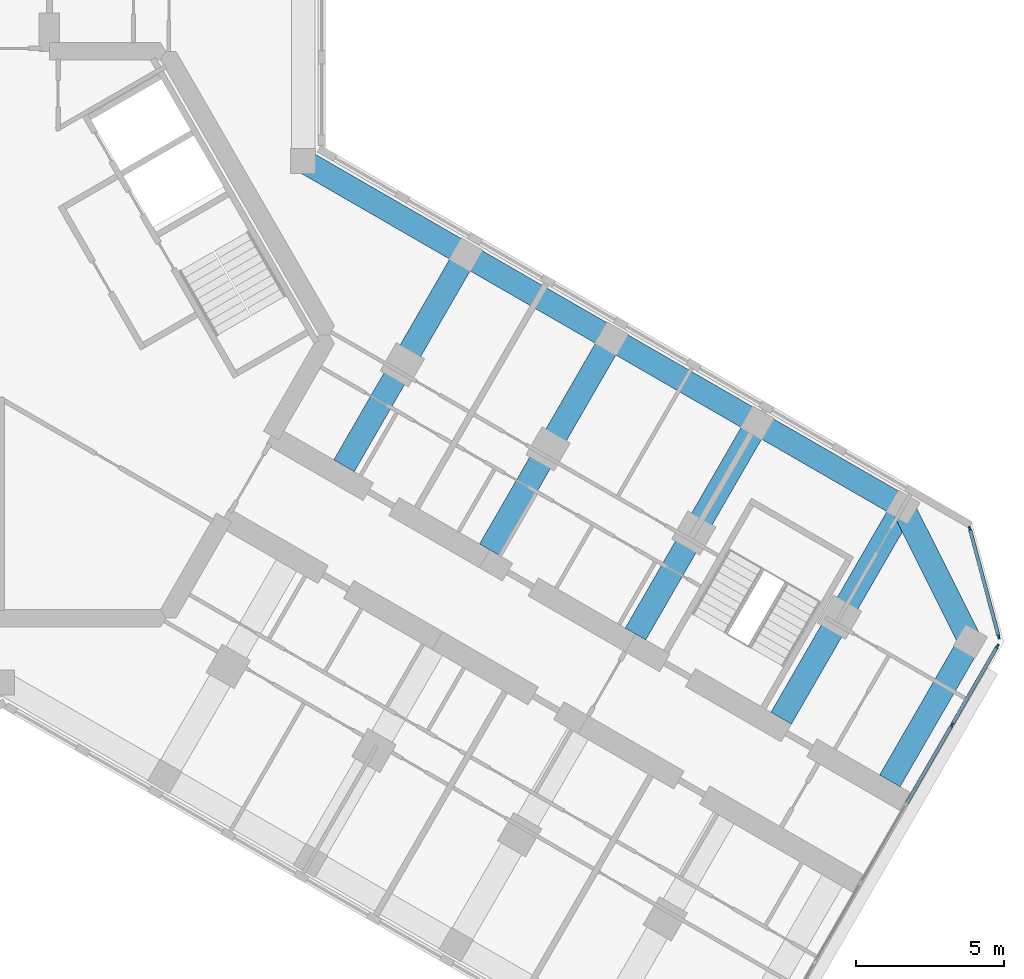
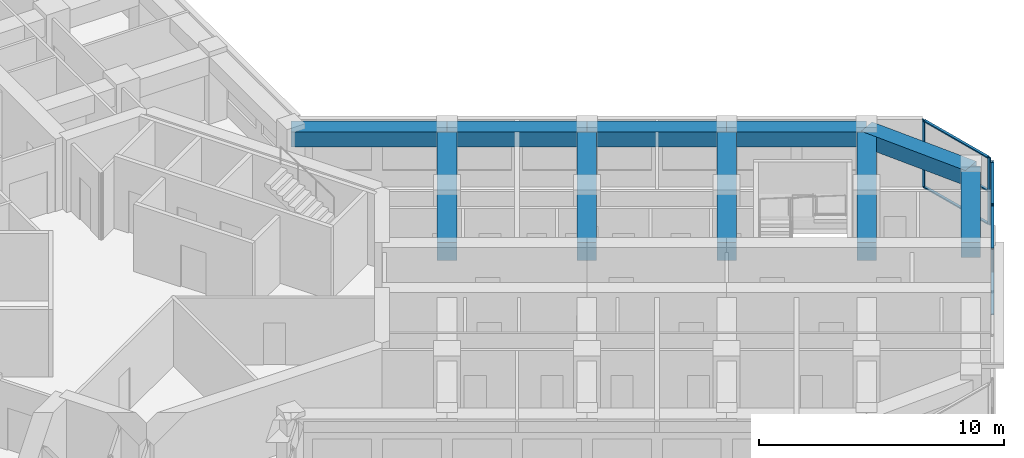
# One storey, part 5 of 16: 11 members, 10 beams, 2 elements without a shape of their own.
"""IFC4 building model written with IfcOpenShell, lengths in metres."""

import ifcopenshell
import ifcopenshell.guid

model = None  # the IFC model being written
_history = None  # IfcOwnerHistory: only IFC2X3 demands one
_inside = {}  # id of a spatial element -> (the spatial element, [elements in it])
_under = {}  # id of a project, library or spatial element -> (it, [spatial elements below it])
_declared = {}  # id of a project -> (the project, [libraries it declares])
_typed = {}  # id of a type object -> (the type object, [elements of that type])
_made_of = {}  # id of a material, layer set ... -> (it, [elements and type objects made of it])


def new_model(schema):
    """Start an empty IFC model of exactly this schema.

    Asked for "IFC4X3", IfcOpenShell would pick the latest addendum, in which some entities
    have other attributes; the version numbers below select the first issue.
    IFC2X3 requires an IfcOwnerHistory on every rooted entity: one is made here for all.
    """
    global model, _history
    if schema == "IFC4X3":
        model = ifcopenshell.file(schema_version=(4, 3, 0, 0))
    else:
        model = ifcopenshell.file(schema=schema)
    _inside.clear()
    _under.clear()
    _declared.clear()
    _typed.clear()
    _made_of.clear()
    _history = None
    if model.schema == "IFC2X3":
        org = make("IfcOrganization", Name="unknown")
        user = make(
            "IfcPersonAndOrganization",
            ThePerson=make("IfcPerson", FamilyName="unknown"),
            TheOrganization=org,
        )
        app = make(
            "IfcApplication",
            ApplicationDeveloper=org,
            Version="unknown",
            ApplicationFullName="unknown",
            ApplicationIdentifier="unknown",
        )
        _history = make(
            "IfcOwnerHistory",
            OwningUser=user,
            OwningApplication=app,
            ChangeAction="ADDED",
            CreationDate=0,
        )
    return model


def make(cls, **values):
    """One entity of the class cls with the attributes given. An attribute that is None is left unset."""
    return model.create_entity(
        cls, **{name: value for name, value in values.items() if value is not None}
    )


def rooted(cls, **values):
    """An entity with a GlobalId (a new one), such as an element, a storey or a relation."""
    return make(cls, GlobalId=ifcopenshell.guid.new(), OwnerHistory=_history, **values)


def si_unit(unit_type, name, prefix=None):
    """IfcSIUnit, for example si_unit("LENGTHUNIT", "METRE", prefix="MILLI")."""
    return make("IfcSIUnit", UnitType=unit_type, Prefix=prefix, Name=name)


def assignment(units):
    """IfcUnitAssignment: the units of a project."""
    return None if units is None else make("IfcUnitAssignment", Units=units)


def point(xyz):
    """IfcCartesianPoint."""
    return None if xyz is None else make("IfcCartesianPoint", Coordinates=xyz)


def direction(xyz):
    """IfcDirection."""
    return None if xyz is None else make("IfcDirection", DirectionRatios=xyz)


def frame(location, z_axis=None, x_axis=None):
    """IfcAxis2Placement3D, a coordinate frame: its origin and axes. An axis left out is left unset."""
    return make(
        "IfcAxis2Placement3D",
        Location=point(location),
        Axis=direction(z_axis),
        RefDirection=direction(x_axis),
    )


def frame_2d(location, x_axis=None):
    """IfcAxis2Placement2D, a coordinate frame in the plane: its origin and x axis."""
    return make(
        "IfcAxis2Placement2D", Location=point(location), RefDirection=direction(x_axis)
    )


def origin():
    """The frame at (0, 0, 0) with its axes left unset."""
    return frame((0.0, 0.0, 0.0))


def origin_2d():
    """The frame at (0, 0) in the plane with its x axis left unset."""
    return frame_2d((0.0, 0.0))


def place(relative_to, where):
    """IfcLocalPlacement: puts the frame where relative to a parent placement (None: the world)."""
    return make(
        "IfcLocalPlacement", PlacementRelTo=relative_to, RelativePlacement=where
    )


def context(
    kind, dimensions, precision=None, world=None, true_north=None, identifier=None
):
    """IfcGeometricRepresentationContext, for example the 3D "Model" context."""
    return make(
        "IfcGeometricRepresentationContext",
        ContextIdentifier=identifier,
        ContextType=kind,
        CoordinateSpaceDimension=dimensions,
        Precision=precision,
        WorldCoordinateSystem=world,
        TrueNorth=true_north,
    )


def subcontext(parent, identifier, kind, view, scale=None):
    """IfcGeometricRepresentationSubContext, for example "Body" below "Model"."""
    return make(
        "IfcGeometricRepresentationSubContext",
        ContextIdentifier=identifier,
        ContextType=kind,
        ParentContext=parent,
        TargetScale=scale,
        TargetView=view,
    )


def project(units=None, contexts=None):
    """IfcProject with its units and contexts."""
    return rooted(
        "IfcProject",
        Name="project",
        RepresentationContexts=contexts,
        UnitsInContext=assignment(units),
    )


def spatial(cls, under=None, at=None, **own):
    """A site, building, storey or space (cls), placed at a placement, below another one or the project."""
    s = rooted(cls, ObjectPlacement=at, **own)
    if under is not None:
        _under.setdefault(under.id(), (under, []))[1].append(s)
    return s


def profile(cls, at=None, kind="AREA", **sizes):
    """A parametric profile (cls). Its sizes go by their IFC names, for example OverallWidth=200.0."""
    return make(cls, ProfileType=kind, Position=at, **sizes)


def rectangle(**sizes):
    """IfcRectangleProfileDef."""
    return profile("IfcRectangleProfileDef", **sizes)


def extrude(swept, where, along, depth):
    """IfcExtrudedAreaSolid: the profile swept, set in the frame where, extruded along a direction by depth."""
    return make(
        "IfcExtrudedAreaSolid",
        SweptArea=swept,
        Position=where,
        ExtrudedDirection=direction(along),
        Depth=depth,
    )


def shape(context_of_items, identifier, shape_type, items):
    """IfcShapeRepresentation: the items that make up one representation, for example the "Body"."""
    return make(
        "IfcShapeRepresentation",
        ContextOfItems=context_of_items,
        RepresentationIdentifier=identifier,
        RepresentationType=shape_type,
        Items=items,
    )


def material(Name=None, Category=None):
    """IfcMaterial."""
    return make("IfcMaterial", Name=Name, Category=Category)


def material_profile(
    of_material, cross_section, Name=None, Category=None, Priority=None
):
    """IfcMaterialProfile: a cross section and its material."""
    return make(
        "IfcMaterialProfile",
        Name=Name,
        Material=of_material,
        Profile=cross_section,
        Priority=Priority,
        Category=Category,
    )


def profile_set(profiles, Name=None, composite=None):
    """IfcMaterialProfileSet."""
    return make(
        "IfcMaterialProfileSet",
        Name=Name,
        MaterialProfiles=profiles,
        CompositeProfile=composite,
    )


def made_of(thing, what):
    """Note that an element or type object is made of a material, layer set ...; save() writes the relation."""
    if what is not None:
        _made_of.setdefault(what.id(), (what, []))[1].append(thing)
    return thing


def type_object(cls, material=None, **own):
    """A type object (cls), such as IfcWallType, which elements share."""
    return made_of(rooted(cls, **own), material)


def element(
    cls,
    number,
    at=None,
    inside=None,
    cuts=None,
    type_object=None,
    material=None,
    context=None,
    identifier="Body",
    shape_type=None,
    held_by="IfcProductDefinitionShape",
    body=None,
    shapes=None,
    **own,
):
    """One element of the class cls, such as IfcWall. Its Tag is "e" and its number.

    at: its placement. inside: the storey or other place that contains it. cuts: it is an
    opening in that element (IfcRelVoidsElement). A single representation is given by context,
    identifier, shape_type and body (its items); several are given by shapes. held_by: the class
    of the entity that holds the representations. save() writes the other relations.
    """
    e = rooted(cls, Tag="e%d" % number, ObjectPlacement=at, **own)
    if body is not None:
        shapes = [shape(context, identifier, shape_type, body)]
    if shapes is not None:
        e.Representation = make(held_by, Representations=shapes)
    if inside is not None:
        _inside.setdefault(inside.id(), (inside, []))[1].append(e)
    if cuts is not None:
        rooted(
            "IfcRelVoidsElement", RelatingBuildingElement=cuts, RelatedOpeningElement=e
        )
    if type_object is not None:
        _typed.setdefault(type_object.id(), (type_object, []))[1].append(e)
    return made_of(e, material)


def aggregate(whole, parts):
    """IfcRelAggregates: a whole, such as a stair, and the parts it consists of."""
    return rooted("IfcRelAggregates", RelatingObject=whole, RelatedObjects=parts)


def save(model, path):
    """Write the relations noted so far, then the file.

    IfcRelAggregates (storeys below a building ...), IfcRelContainedInSpatialStructure (elements
    in a storey), IfcRelDefinesByType, IfcRelAssociatesMaterial and IfcRelDeclares: one each for
    every whole, place, type object, material and project.
    """
    for whole, parts in _under.values():
        aggregate(whole, parts)
    for where, things in _inside.values():
        rooted(
            "IfcRelContainedInSpatialStructure",
            RelatedElements=things,
            RelatingStructure=where,
        )
    for kind, things in _typed.values():
        rooted("IfcRelDefinesByType", RelatedObjects=things, RelatingType=kind)
    for what, things in _made_of.values():
        rooted("IfcRelAssociatesMaterial", RelatedObjects=things, RelatingMaterial=what)
    for by, libraries in _declared.values():
        rooted("IfcRelDeclares", RelatingContext=by, RelatedDefinitions=libraries)
    model.write(path)


model = new_model("IFC4")

# Units and contexts
model_context = context("Model", 3, precision=1e-05, world=origin(), true_north=direction((0.0, 1.0)))
body_context = subcontext(model_context, "Body", "Model", "MODEL_VIEW")
ifc_project = project(units=[si_unit("LENGTHUNIT", "METRE"), si_unit("AREAUNIT", "SQUARE_METRE"), si_unit("VOLUMEUNIT", "CUBIC_METRE"), si_unit("PLANEANGLEUNIT", "RADIAN"), si_unit("MASSUNIT", "GRAM", prefix="KILO")], contexts=[model_context])

# Site, building, storey
site_placement = place(None, origin())
site = spatial("IfcSite", under=ifc_project, at=site_placement, CompositionType="ELEMENT")
building_placement = place(site_placement, origin())
building = spatial("IfcBuilding", under=site, at=building_placement, Name="Kosmar Iwan School Tower", CompositionType="ELEMENT")
storey_placement = place(building_placement, frame((0.0, 0.0, 235.199951171875)))
storey = spatial("IfcBuildingStorey", under=building, at=storey_placement, Name="L59", CompositionType="ELEMENT", Elevation=235.199951171875)

# Curtain wall, members
ifc_material_1 = material(Name="Dark glass in black aluminium frame", Category="aluminium")
curtain_wall_type_1 = type_object("IfcCurtainWallType", Name="Tower curtain wall dark glass", PredefinedType="USERDEFINED", material=ifc_material_1)
curtain_wall_1_placement = place(storey_placement, origin())
curtain_wall_1 = element("IfcCurtainWall", 1, at=curtain_wall_1_placement, inside=storey, type_object=curtain_wall_type_1, Name="Curtain wall L59-F01", ObjectType="UNITISED CURTAIN WALL", PredefinedType="USERDEFINED")
ifc_material_2 = material(Name="Black anodised aluminium", Category="aluminium")
ifc_material_profile_1 = material_profile(ifc_material_2, rectangle(XDim=0.06005859375, YDim=0.159912109375, at=origin_2d()), Name="MULLION 60x160")
ifc_profile_set_1 = profile_set([ifc_material_profile_1], Name="Black anodised aluminium")
member_type_1 = type_object("IfcMemberType", Name="Mullion 60x160", PredefinedType="MULLION", material=ifc_profile_set_1)
member_1_placement = place(storey_placement, frame((32.1806640625, -13.21142578125, 0.0), z_axis=(0.0, 0.0, 1.0), x_axis=(-0.866025405329, 0.499999997325, 0.0)))
member_1 = element("IfcMember", 2, at=member_1_placement, type_object=member_type_1, Name="CW1 mullion 5", PredefinedType="MULLION", context=body_context, shape_type="SweptSolid", body=[
    extrude(rectangle(XDim=0.06005859375, YDim=0.159912109375, at=origin_2d()), origin(), (0.0, 0.0, 1.0), 3.35009765625),
])
member_2_placement = place(storey_placement, frame((33.71533203125, -10.55322265625, 0.0), z_axis=(0.0, 0.0, 1.0), x_axis=(-0.866025405329, 0.499999997325, 0.0)))
member_2 = element("IfcMember", 3, at=member_2_placement, type_object=member_type_1, Name="CW1 mullion 6", PredefinedType="MULLION", context=body_context, shape_type="SweptSolid", body=[
    extrude(rectangle(XDim=0.06005859375, YDim=0.159912109375, at=origin_2d()), origin(), (0.0, 0.0, 1.0), 3.35009765625),
])

ifc_material_3 = material(Name="Dark glass in black aluminium frame", Category="aluminium")
curtain_wall_type_2 = type_object("IfcCurtainWallType", Name="Chamfer curtain wall dark glass", PredefinedType="USERDEFINED", material=ifc_material_3)
curtain_wall_2_placement = place(storey_placement, origin())
curtain_wall_2 = element("IfcCurtainWall", 4, at=curtain_wall_2_placement, inside=storey, type_object=curtain_wall_type_2, Name="Curtain wall L59-F02", ObjectType="FACETED CURTAIN WALL", PredefinedType="USERDEFINED")
member_3_placement = place(storey_placement, frame((33.7587890625, -10.2236328125, 0.0), z_axis=(0.0, 0.0, 1.0), x_axis=(-0.965925875495, -0.258818861462, 0.0)))
member_3 = element("IfcMember", 5, at=member_3_placement, type_object=member_type_1, Name="CW2 mullion 1", PredefinedType="MULLION", context=body_context, shape_type="SweptSolid", body=[
    extrude(rectangle(XDim=0.06005859375, YDim=0.159912109375, at=origin_2d()), origin(), (0.0, 0.0, 1.0), 3.35009765625),
])
member_4_placement = place(storey_placement, frame((32.78076171875, -6.5732421875, 0.0), z_axis=(0.0, 0.0, 1.0), x_axis=(-0.965925875495, -0.258818861462, 0.0)))
member_4 = element("IfcMember", 6, at=member_4_placement, type_object=member_type_1, Name="CW2 mullion 2", PredefinedType="MULLION", context=body_context, shape_type="SweptSolid", body=[
    extrude(rectangle(XDim=0.06005859375, YDim=0.159912109375, at=origin_2d()), origin(), (0.0, 0.0, 1.0), 3.35009765625),
])

# Beams
ifc_material_4 = material(Name="Concrete C50/60", Category="concrete")
ifc_material_profile_2 = material_profile(ifc_material_4, rectangle(XDim=0.800048828125, YDim=0.75, at=origin_2d()), Name="RC 800x750")
ifc_profile_set_2 = profile_set([ifc_material_profile_2], Name="Concrete C50/60")
beam_type_1 = type_object("IfcBeamType", Name="RC edge beam 800x750", PredefinedType="BEAM", material=ifc_profile_set_2)
beam_1_placement = place(storey_placement, frame((10.199951171875, 5.888916015625, 2.97509765625), z_axis=(0.866030912664, -0.49999045822, 0.0), x_axis=(0.49999045822, 0.866030912664, 0.0)))
element("IfcBeam", 7, at=beam_1_placement, inside=storey, type_object=beam_type_1, Name="Edge beam CL1", PredefinedType="BEAM", context=body_context, shape_type="SweptSolid", body=[
    extrude(rectangle(XDim=0.800048828125, YDim=0.75, at=origin_2d()), origin(), (0.0, 0.0, 1.0), 6.36083984375),
])
beam_2_placement = place(storey_placement, frame((15.708740234375, 2.70849609375, 2.97509765625), z_axis=(0.866025820012, -0.499999279071, 0.0), x_axis=(0.499999279071, 0.866025820012, 0.0)))
element("IfcBeam", 8, at=beam_2_placement, inside=storey, type_object=beam_type_1, Name="Edge beam CL2", PredefinedType="BEAM", context=body_context, shape_type="SweptSolid", body=[
    extrude(rectangle(XDim=0.800048828125, YDim=0.75, at=origin_2d()), origin(), (0.0, 0.0, 1.0), 5.7001953125),
])
for number, where, z_axis, x_axis, name in (
    (9, (20.645263671875, -0.1416015625, 2.97509765625), (0.866033658841, -0.49998570155, 0.0), (0.49998570155, 0.866033658841, 0.0), "Edge beam CL3"),
    (10, (25.58154296875, -2.991455078125, 2.97509765625), (0.866015111908, -0.50001782563, 0.0), (0.50001782563, 0.866015111908, 0.0), "Edge beam CL4"),
):
    element("IfcBeam", number, at=place(storey_placement, frame(where, z_axis=z_axis, x_axis=x_axis)), inside=storey, type_object=beam_type_1, Name=name, PredefinedType="BEAM", context=body_context, shape_type="SweptSolid", body=[
        extrude(rectangle(XDim=0.800048828125, YDim=0.75, at=origin_2d()), origin(), (0.0, 0.0, 1.0), 5.699951171875),
    ])
ifc_material_5 = material(Name="Concrete C50/60", Category="concrete")
ifc_material_profile_3 = material_profile(ifc_material_5, rectangle(XDim=0.800048828125, YDim=0.75, at=origin_2d()), Name="RC 800x750")
ifc_profile_set_3 = profile_set([ifc_material_profile_3], Name="Concrete C50/60")
beam_type_2 = type_object("IfcBeamType", Name="RC tip beam 800x750", PredefinedType="BEAM", material=ifc_profile_set_3)
beam_3_placement = place(storey_placement, frame((30.517822265625, -5.841552734375, 2.97509765625), z_axis=(0.44809604203, -0.893985423325, 0.0), x_axis=(0.893985423325, 0.44809604203, 0.0)))
element("IfcBeam", 11, at=beam_3_placement, inside=storey, type_object=beam_type_2, Name="Tip beam CL", PredefinedType="BEAM", context=body_context, shape_type="SweptSolid", body=[
    extrude(rectangle(XDim=0.800048828125, YDim=0.75, at=origin_2d()), origin(), (0.0, 0.0, 1.0), 5.08935546875),
])
beam_4_placement = place(storey_placement, frame((32.79833984375, -10.391357421875, 2.97509765625), z_axis=(-0.49996933381, -0.866043108194, 0.0), x_axis=(0.866043108194, -0.49996933381, 0.0)))
element("IfcBeam", 12, at=beam_4_placement, inside=storey, type_object=beam_type_2, Name="Tip beam CL to corridor wall", PredefinedType="BEAM", context=body_context, shape_type="SweptSolid", body=[
    extrude(rectangle(XDim=0.800048828125, YDim=0.75, at=origin_2d()), origin(), (0.0, 0.0, 1.0), 5.449951171875),
])
ifc_material_6 = material(Name="Concrete C50/60", Category="concrete")
ifc_material_profile_4 = material_profile(ifc_material_6, rectangle(XDim=0.800048828125, YDim=0.89990234375, at=origin_2d()), Name="RC 800x900")
ifc_profile_set_4 = profile_set([ifc_material_profile_4], Name="Concrete C50/60")
beam_type_3 = type_object("IfcBeamType", Name="RC transverse beam 800x900", PredefinedType="BEAM", material=ifc_profile_set_4)
beam_5_placement = place(storey_placement, frame((15.708740234375, 2.70849609375, 2.900146484375), z_axis=(-0.499996545922, -0.866027397988, 0.0), x_axis=(0.866027397988, -0.499996545922, 0.0)))
element("IfcBeam", 13, at=beam_5_placement, inside=storey, type_object=beam_type_3, Name="Transverse beam CL1", PredefinedType="BEAM", context=body_context, shape_type="SweptSolid", body=[
    extrude(rectangle(XDim=0.800048828125, YDim=0.89990234375, at=origin_2d()), origin(), (0.0, 0.0, 1.0), 8.25),
])
beam_6_placement = place(storey_placement, frame((20.645263671875, -0.1416015625, 2.900146484375), z_axis=(-0.500009360108, -0.866019999656, 0.0), x_axis=(0.866019999656, -0.500009360108, 0.0)))
element("IfcBeam", 14, at=beam_6_placement, inside=storey, type_object=beam_type_3, Name="Transverse beam CL2", PredefinedType="BEAM", context=body_context, shape_type="SweptSolid", body=[
    extrude(rectangle(XDim=0.800048828125, YDim=0.89990234375, at=origin_2d()), origin(), (0.0, 0.0, 1.0), 8.249755859375),
])
for number, where, z_axis, x_axis, name in (
    (15, (25.58154296875, -2.991455078125, 2.900146484375), (-0.499996545922, -0.866027397988, 0.0), (0.866027397988, -0.499996545922, 0.0), "Transverse beam CL3"),
    (16, (30.517822265625, -5.841552734375, 2.900146484375), (-0.499996545922, -0.866027397988, 0.0), (0.866027397988, -0.499996545922, 0.0), "Transverse beam CL4"),
):
    element("IfcBeam", number, at=place(storey_placement, frame(where, z_axis=z_axis, x_axis=x_axis)), inside=storey, type_object=beam_type_3, Name=name, PredefinedType="BEAM", context=body_context, shape_type="SweptSolid", body=[
        extrude(rectangle(XDim=0.800048828125, YDim=0.89990234375, at=origin_2d()), origin(), (0.0, 0.0, 1.0), 8.25),
    ])

# Member
ifc_material_7 = material(Name="Black anodised aluminium", Category="aluminium")
ifc_material_profile_5 = material_profile(ifc_material_7, rectangle(XDim=0.1201171875, YDim=0.06005859375, at=origin_2d()), Name="TRANSOM 60x120")
ifc_profile_set_5 = profile_set([ifc_material_profile_5], Name="Black anodised aluminium")
member_type_2 = type_object("IfcMemberType", Name="Transom 60x120", PredefinedType="USERDEFINED", material=ifc_profile_set_5)
member_5_placement = place(storey_placement, frame((30.64599609375, -15.869384765625, 0.030029296875), z_axis=(0.500035348339, 0.866004994449, 0.0), x_axis=(-0.866004994449, 0.500035348339, 0.0)))
member_5 = element("IfcMember", 17, at=member_5_placement, type_object=member_type_2, Name="CW1 transom 4.1", ObjectType="TRANSOM", PredefinedType="USERDEFINED", context=body_context, shape_type="SweptSolid", body=[
    extrude(rectangle(XDim=0.1201171875, YDim=0.06005859375, at=origin_2d()), origin(), (0.0, 0.0, 1.0), 3.039306640625),
])

member_6_placement = place(storey_placement, frame((30.64599609375, -15.869384765625, 3.320068359375), z_axis=(0.500035348339, 0.866004994449, 0.0), x_axis=(-0.866004994449, 0.500035348339, 0.0)))
member_6 = element("IfcMember", 18, at=member_6_placement, type_object=member_type_2, Name="CW1 transom 4.2", ObjectType="TRANSOM", PredefinedType="USERDEFINED", context=body_context, shape_type="SweptSolid", body=[
    extrude(rectangle(XDim=0.1201171875, YDim=0.06005859375, at=origin_2d()), origin(), (0.0, 0.0, 1.0), 3.039306640625),
])

member_7_placement = place(storey_placement, frame((32.19580078125, -13.185302734375, 0.030029296875), z_axis=(0.500022102064, 0.866012642776, 0.0), x_axis=(-0.866012642776, 0.500022102064, 0.0)))
member_7 = element("IfcMember", 19, at=member_7_placement, type_object=member_type_2, Name="CW1 transom 5.1", ObjectType="TRANSOM", PredefinedType="USERDEFINED", context=body_context, shape_type="SweptSolid", body=[
    extrude(rectangle(XDim=0.1201171875, YDim=0.06005859375, at=origin_2d()), origin(), (0.0, 0.0, 1.0), 3.009033203125),
])

member_8_placement = place(storey_placement, frame((32.19580078125, -13.185302734375, 3.320068359375), z_axis=(0.500022102064, 0.866012642776, 0.0), x_axis=(-0.866012642776, 0.500022102064, 0.0)))
member_8 = element("IfcMember", 20, at=member_8_placement, type_object=member_type_2, Name="CW1 transom 5.2", ObjectType="TRANSOM", PredefinedType="USERDEFINED", context=body_context, shape_type="SweptSolid", body=[
    extrude(rectangle(XDim=0.1201171875, YDim=0.06005859375, at=origin_2d()), origin(), (0.0, 0.0, 1.0), 3.009033203125),
])

aggregate(curtain_wall_1, [member_1, member_2, member_5, member_6, member_7, member_8])

member_9_placement = place(storey_placement, frame((33.7509765625, -10.194580078125, 0.030029296875), z_axis=(-0.258843273983, 0.965919333854, 0.0), x_axis=(-0.965919333854, -0.258843273983, 0.0)))
member_9 = element("IfcMember", 21, at=member_9_placement, type_object=member_type_2, Name="CW2 transom 1.1", ObjectType="TRANSOM", PredefinedType="USERDEFINED", context=body_context, shape_type="SweptSolid", body=[
    extrude(rectangle(XDim=0.1201171875, YDim=0.06005859375, at=origin_2d()), origin(), (0.0, 0.0, 1.0), 3.718994140625),
])

member_10_placement = place(storey_placement, frame((33.7509765625, -10.194580078125, 1.675048828125), z_axis=(-0.258843273983, 0.965919333854, 0.0), x_axis=(-0.965919333854, -0.258843273983, 0.0)))
member_10 = element("IfcMember", 22, at=member_10_placement, type_object=member_type_2, Name="CW2 transom 1.2", ObjectType="TRANSOM", PredefinedType="USERDEFINED", context=body_context, shape_type="SweptSolid", body=[
    extrude(rectangle(XDim=0.1201171875, YDim=0.06005859375, at=origin_2d()), origin(), (0.0, 0.0, 1.0), 3.718994140625),
])

member_11_placement = place(storey_placement, frame((33.7509765625, -10.194580078125, 3.320068359375), z_axis=(-0.258843273983, 0.965919333854, 0.0), x_axis=(-0.965919333854, -0.258843273983, 0.0)))
member_11 = element("IfcMember", 23, at=member_11_placement, type_object=member_type_2, Name="CW2 transom 1.3", ObjectType="TRANSOM", PredefinedType="USERDEFINED", context=body_context, shape_type="SweptSolid", body=[
    extrude(rectangle(XDim=0.1201171875, YDim=0.06005859375, at=origin_2d()), origin(), (0.0, 0.0, 1.0), 3.718994140625),
])

aggregate(curtain_wall_2, [member_3, member_4, member_9, member_10, member_11])

save(model, "model.ifc")
